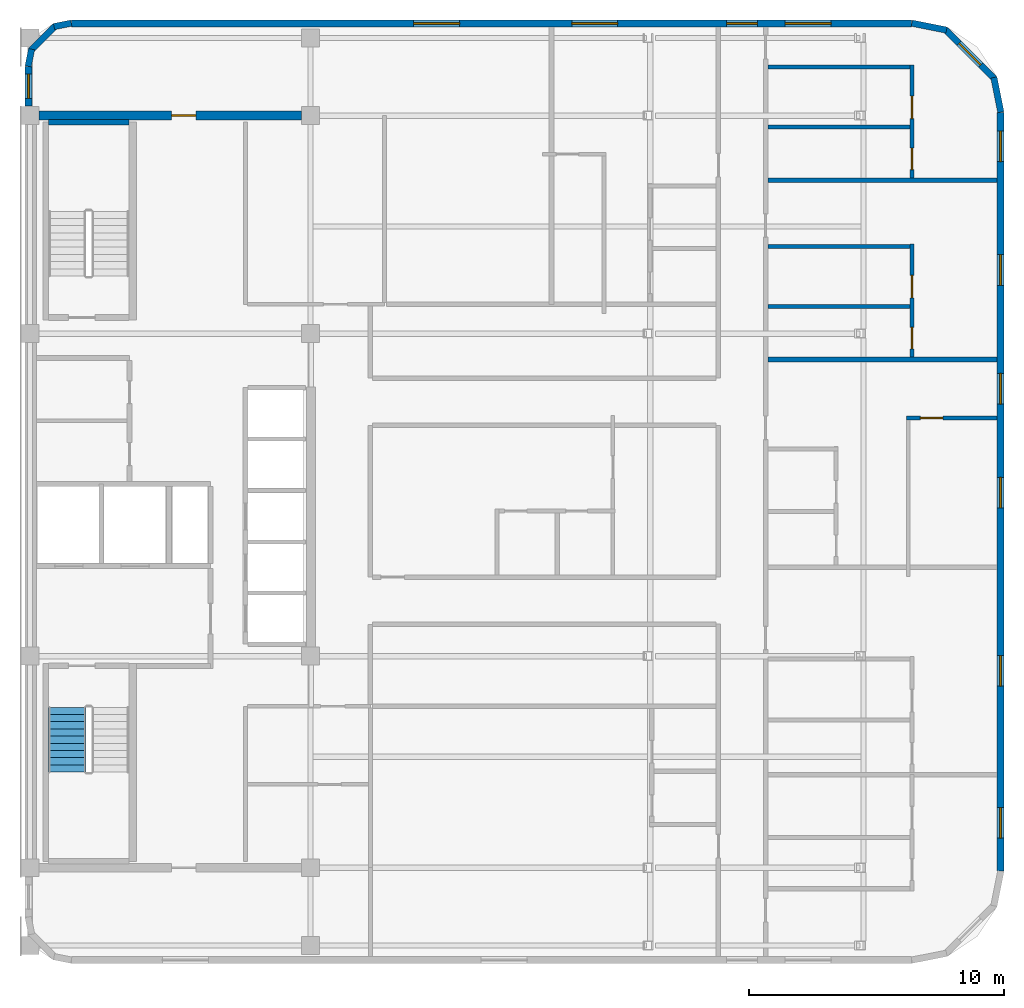
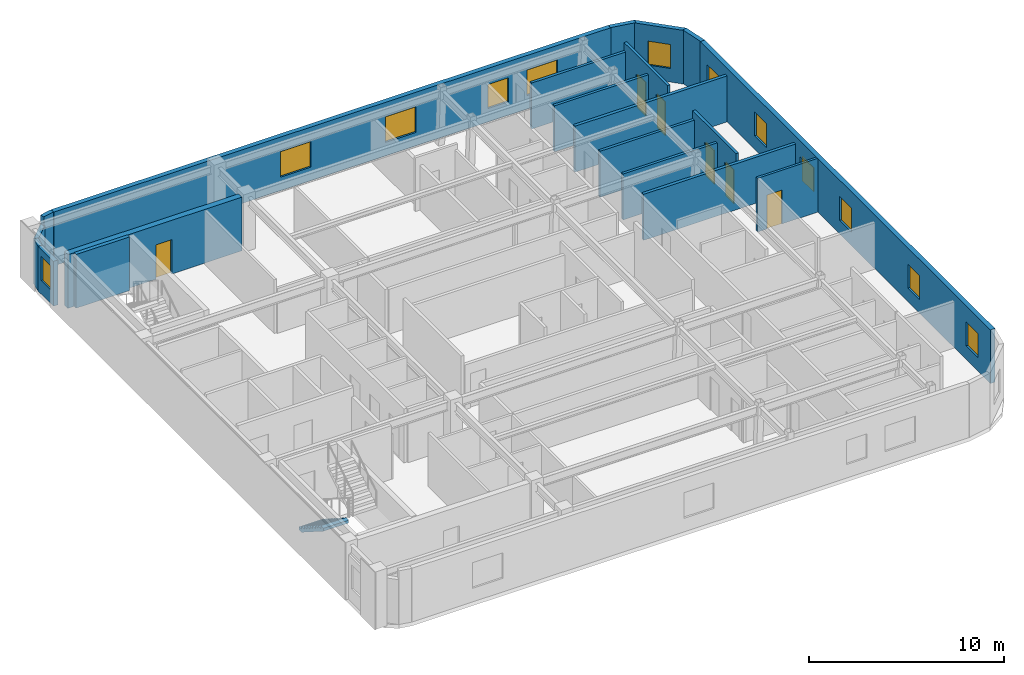
# One storey, part 5 of 7: 20 walls, 12 windows, 6 doors, 1 stair flight, 18 openings, 1 element without a shape of its own.
"""IFC4 building model written with IfcOpenShell, lengths in metres."""

from ifc_helpers import new_model, si_unit, direction, frame, frame_2d, origin, place, context, subcontext, project, spatial, polyline, rectangle, outline, extrude, material, layer, layer_set, type_object, element, fill, aggregate, save


model = new_model("IFC4")

# Units and contexts
model_context = context("Model", 3, precision=1e-05, world=origin(), true_north=direction((0.0, 1.0)))
body_context = subcontext(model_context, "Body", "Model", "MODEL_VIEW")
ifc_project = project(units=[si_unit("LENGTHUNIT", "METRE"), si_unit("AREAUNIT", "SQUARE_METRE"), si_unit("VOLUMEUNIT", "CUBIC_METRE"), si_unit("PLANEANGLEUNIT", "RADIAN"), si_unit("MASSUNIT", "GRAM", prefix="KILO")], contexts=[model_context])

# Site, building, storey
site_placement = place(None, origin())
site = spatial("IfcSite", under=ifc_project, at=site_placement, CompositionType="ELEMENT")
building_placement = place(site_placement, origin())
building = spatial("IfcBuilding", under=site, at=building_placement, Name="Ochreholt Gables", CompositionType="ELEMENT")
storey_placement = place(building_placement, frame((0.0, 0.0, 242.39990234375)))
storey = spatial("IfcBuildingStorey", under=building, at=storey_placement, Name="L63", CompositionType="ELEMENT", Elevation=242.39990234375)

# Wall, opening, door
ifc_material_1 = material(Name="Concrete 50 MPa", Category="concrete")
ifc_layer_1 = layer(ifc_material_1, 0.35009765625, Name="Concrete 50 MPa")
ifc_layer_set_1 = layer_set([ifc_layer_1], Name="Concrete 50 MPa")
wall_type_1 = type_object("IfcWallType", Name="WALL-CSW-350", PredefinedType="SHEAR", material=ifc_layer_set_1)
wall_1_placement = place(storey_placement, frame((24.550048828125, 38.75, 0.0), z_axis=(0.0, 0.0, 1.0), x_axis=(1.0, 0.0, 0.0)))
wall_1 = element("IfcWall", 1, at=wall_1_placement, inside=storey, type_object=wall_type_1, Name="L63 Core North Shear Wall", PredefinedType="SHEAR", context=body_context, shape_type="SweptSolid", body=[
    extrude(rectangle(XDim=10.300048828125, YDim=0.35009765625, at=frame_2d((5.14990234375, 0.0))), origin(), (0.0, 0.0, 1.0), 3.360107421875),
])
opening_1_placement = place(wall_1_placement, frame((5.199951171875, 0.0, 0.0)))
opening_1 = element("IfcOpeningElement", 2, at=opening_1_placement, cuts=wall_1, Name="Opening D-FL2", PredefinedType="OPENING", context=body_context, shape_type="SweptSolid", body=[
    extrude(rectangle(XDim=0.949951171875, YDim=2.14990234375, at=frame_2d((0.47509765625, 1.074951171875))), frame((0.0, 0.18505859375, 0.0), z_axis=(0.0, -1.0, 0.0), x_axis=(1.0, 0.0, 0.0)), (0.0, 0.0, 1.0), 0.3701171875),
])
ifc_material_2 = material(Name="Hollow Metal Steel", Category="steel")
door_type_1 = type_object("IfcDoorType", Name="DR-INT-FLB950", OperationType="NOTDEFINED", PredefinedType="DOOR", material=ifc_material_2)
door_1_placement = place(opening_1_placement, origin())
door_1 = element("IfcDoor", 3, at=door_1_placement, inside=storey, type_object=door_type_1, Name="L63 Door D-C3NSR-L63", OperationType="SINGLE_SWING_RIGHT", OverallHeight=2.14990234375, OverallWidth=0.949951171875, PredefinedType="DOOR", context=body_context, shape_type="SweptSolid", body=[
    extrude(rectangle(XDim=0.949951171875, YDim=2.14990234375, at=frame_2d((0.47509765625, 1.074951171875))), frame((0.0, 0.02490234375, 0.0), z_axis=(0.0, -1.0, 0.0), x_axis=(1.0, 0.0, 0.0)), (0.0, 0.0, 1.0), 0.050048828125),
])
fill(opening_1, door_1)

# Wall, openings, windows
ifc_material_3 = material(Name="Precast concrete 40 MPa", Category="concrete")
ifc_layer_2 = layer(ifc_material_3, 0.27001953125, Name="Precast concrete 40 MPa")
ifc_layer_set_2 = layer_set([ifc_layer_2], Name="Precast concrete 40 MPa")
wall_type_2 = type_object("IfcWallType", Name="WALL-EXT-270", PredefinedType="SOLIDWALL", material=ifc_layer_set_2)
wall_2_placement = place(storey_placement, frame((62.264892578125, 9.1201171875, 0.0), z_axis=(0.0, 0.0, 1.0), x_axis=(0.0, 1.0, 0.0)))
wall_2 = element("IfcWall", 4, at=wall_2_placement, inside=storey, type_object=wall_type_2, Name="L63 East Exterior Wall", PredefinedType="SOLIDWALL", context=body_context, shape_type="SweptSolid", body=[
    extrude(rectangle(XDim=29.759765625, YDim=0.27001953125, at=frame_2d((14.8798828125, 0.0))), origin(), (0.0, 0.0, 1.0), 3.360107421875),
])
opening_2_placement = place(wall_2_placement, frame((1.2900390625, 0.0, 0.85009765625)))
opening_2 = element("IfcOpeningElement", 5, at=opening_2_placement, cuts=wall_2, Name="Opening WN-3", PredefinedType="OPENING", context=body_context, shape_type="SweptSolid", body=[
    extrude(rectangle(XDim=1.199951171875, YDim=1.5, at=frame_2d((0.60009765625, 0.75))), frame((0.0, 0.14501953125, 0.0), z_axis=(0.0, -1.0, 0.0), x_axis=(1.0, 0.0, 0.0)), (0.0, 0.0, 1.0), 0.2900390625),
])
opening_3_placement = place(wall_2_placement, frame((7.25, 0.0, 0.85009765625)))
opening_3 = element("IfcOpeningElement", 6, at=opening_3_placement, cuts=wall_2, Name="Opening WN-3", PredefinedType="OPENING", context=body_context, shape_type="SweptSolid", body=[
    extrude(rectangle(XDim=1.199951171875, YDim=1.5, at=frame_2d((0.60009765625, 0.75))), frame((0.0, 0.14501953125, 0.0), z_axis=(0.0, -1.0, 0.0), x_axis=(1.0, 0.0, 0.0)), (0.0, 0.0, 1.0), 0.2900390625),
])
opening_4_placement = place(wall_2_placement, frame((14.2451171875, 0.0, 0.85009765625)))
opening_4 = element("IfcOpeningElement", 7, at=opening_4_placement, cuts=wall_2, Name="Opening WN-3", PredefinedType="OPENING", context=body_context, shape_type="SweptSolid", body=[
    extrude(rectangle(XDim=1.199951171875, YDim=1.5, at=frame_2d((0.60009765625, 0.75))), frame((0.0, 0.14501953125, 0.0), z_axis=(0.0, -1.0, 0.0), x_axis=(1.0, 0.0, 0.0)), (0.0, 0.0, 1.0), 0.2900390625),
])
opening_5_placement = place(wall_2_placement, frame((18.31494140625, 0.0, 0.85009765625)))
opening_5 = element("IfcOpeningElement", 8, at=opening_5_placement, cuts=wall_2, Name="Opening WN-3", PredefinedType="OPENING", context=body_context, shape_type="SweptSolid", body=[
    extrude(rectangle(XDim=1.199951171875, YDim=1.5, at=frame_2d((0.60009765625, 0.75))), frame((0.0, 0.14501953125, 0.0), z_axis=(0.0, -1.0, 0.0), x_axis=(1.0, 0.0, 0.0)), (0.0, 0.0, 1.0), 0.2900390625),
])
opening_6_placement = place(wall_2_placement, frame((22.97509765625, 0.0, 0.85009765625)))
opening_6 = element("IfcOpeningElement", 9, at=opening_6_placement, cuts=wall_2, Name="Opening WN-3", PredefinedType="OPENING", context=body_context, shape_type="SweptSolid", body=[
    extrude(rectangle(XDim=1.199951171875, YDim=1.5, at=frame_2d((0.60009765625, 0.75))), frame((0.0, 0.14501953125, 0.0), z_axis=(0.0, -1.0, 0.0), x_axis=(1.0, 0.0, 0.0)), (0.0, 0.0, 1.0), 0.2900390625),
])
opening_7_placement = place(wall_2_placement, frame((27.824951171875, 0.0, 0.85009765625)))
opening_7 = element("IfcOpeningElement", 10, at=opening_7_placement, cuts=wall_2, Name="Opening WN-3", PredefinedType="OPENING", context=body_context, shape_type="SweptSolid", body=[
    extrude(rectangle(XDim=1.199951171875, YDim=1.5, at=frame_2d((0.60009765625, 0.75))), frame((0.0, 0.14501953125, 0.0), z_axis=(0.0, -1.0, 0.0), x_axis=(1.0, 0.0, 0.0)), (0.0, 0.0, 1.0), 0.2900390625),
])
ifc_material_4 = material(Name="Triple-Glazed Thermally Broken Aluminium Window", Category="aluminium")
window_type_1 = type_object("IfcWindowType", Name="WIN-RES-1200", PartitioningType="SINGLE_PANEL", PredefinedType="WINDOW", material=ifc_material_4)
window_1_placement = place(opening_2_placement, origin())
window_1 = element("IfcWindow", 11, at=window_1_placement, inside=storey, type_object=window_type_1, Name="L63 Window W-EXT-E-L63-1", OverallHeight=1.5, OverallWidth=1.199951171875, PartitioningType="SINGLE_PANEL", PredefinedType="WINDOW", context=body_context, shape_type="SweptSolid", body=[
    extrude(rectangle(XDim=1.199951171875, YDim=1.5, at=frame_2d((0.60009765625, 0.75))), frame((0.0, 0.030029296875, 0.0), z_axis=(0.0, -1.0, 0.0), x_axis=(1.0, 0.0, 0.0)), (0.0, 0.0, 1.0), 0.06005859375),
])
fill(opening_2, window_1)
window_2_placement = place(opening_3_placement, origin())
window_2 = element("IfcWindow", 12, at=window_2_placement, inside=storey, type_object=window_type_1, Name="L63 Window W-EXT-E-L63-2", OverallHeight=1.5, OverallWidth=1.199951171875, PartitioningType="SINGLE_PANEL", PredefinedType="WINDOW", context=body_context, shape_type="SweptSolid", body=[
    extrude(rectangle(XDim=1.199951171875, YDim=1.5, at=frame_2d((0.60009765625, 0.75))), frame((0.0, 0.030029296875, 0.0), z_axis=(0.0, -1.0, 0.0), x_axis=(1.0, 0.0, 0.0)), (0.0, 0.0, 1.0), 0.06005859375),
])
fill(opening_3, window_2)
window_3_placement = place(opening_4_placement, origin())
window_3 = element("IfcWindow", 13, at=window_3_placement, inside=storey, type_object=window_type_1, Name="L63 Window W-EXT-E-L63-3", OverallHeight=1.5, OverallWidth=1.199951171875, PartitioningType="SINGLE_PANEL", PredefinedType="WINDOW", context=body_context, shape_type="SweptSolid", body=[
    extrude(rectangle(XDim=1.199951171875, YDim=1.5, at=frame_2d((0.60009765625, 0.75))), frame((0.0, 0.030029296875, 0.0), z_axis=(0.0, -1.0, 0.0), x_axis=(1.0, 0.0, 0.0)), (0.0, 0.0, 1.0), 0.06005859375),
])
fill(opening_4, window_3)
window_4_placement = place(opening_5_placement, origin())
window_4 = element("IfcWindow", 14, at=window_4_placement, inside=storey, type_object=window_type_1, Name="L63 Window W-EXT-E-L63-4", OverallHeight=1.5, OverallWidth=1.199951171875, PartitioningType="SINGLE_PANEL", PredefinedType="WINDOW", context=body_context, shape_type="SweptSolid", body=[
    extrude(rectangle(XDim=1.199951171875, YDim=1.5, at=frame_2d((0.60009765625, 0.75))), frame((0.0, 0.030029296875, 0.0), z_axis=(0.0, -1.0, 0.0), x_axis=(1.0, 0.0, 0.0)), (0.0, 0.0, 1.0), 0.06005859375),
])
fill(opening_5, window_4)
window_5_placement = place(opening_6_placement, origin())
window_5 = element("IfcWindow", 15, at=window_5_placement, inside=storey, type_object=window_type_1, Name="L63 Window W-EXT-E-L63-5", OverallHeight=1.5, OverallWidth=1.199951171875, PartitioningType="SINGLE_PANEL", PredefinedType="WINDOW", context=body_context, shape_type="SweptSolid", body=[
    extrude(rectangle(XDim=1.199951171875, YDim=1.5, at=frame_2d((0.60009765625, 0.75))), frame((0.0, 0.030029296875, 0.0), z_axis=(0.0, -1.0, 0.0), x_axis=(1.0, 0.0, 0.0)), (0.0, 0.0, 1.0), 0.06005859375),
])
fill(opening_6, window_5)
window_6_placement = place(opening_7_placement, origin())
window_6 = element("IfcWindow", 16, at=window_6_placement, inside=storey, type_object=window_type_1, Name="L63 Window W-EXT-E-L63-6", OverallHeight=1.5, OverallWidth=1.199951171875, PartitioningType="SINGLE_PANEL", PredefinedType="WINDOW", context=body_context, shape_type="SweptSolid", body=[
    extrude(rectangle(XDim=1.199951171875, YDim=1.5, at=frame_2d((0.60009765625, 0.75))), frame((0.0, 0.030029296875, 0.0), z_axis=(0.0, -1.0, 0.0), x_axis=(1.0, 0.0, 0.0)), (0.0, 0.0, 1.0), 0.06005859375),
])
fill(opening_7, window_6)

wall_3_placement = place(storey_placement, frame((58.780029296875, 42.364990234375, 0.0), z_axis=(0.0, 0.0, 1.0), x_axis=(-1.0, 0.0, 0.0)))
wall_3 = element("IfcWall", 17, at=wall_3_placement, inside=storey, type_object=wall_type_2, Name="L63 North Exterior Wall", PredefinedType="SOLIDWALL", context=body_context, shape_type="SweptSolid", body=[
    extrude(rectangle(XDim=32.9599609375, YDim=0.27001953125, at=frame_2d((16.47998046875, 0.0))), origin(), (0.0, 0.0, 1.0), 3.360107421875),
])
opening_8_placement = place(wall_3_placement, frame((17.735107421875, 0.0, 0.85009765625)))
opening_8 = element("IfcOpeningElement", 18, at=opening_8_placement, cuts=wall_3, Name="Opening WN-1", PredefinedType="OPENING", context=body_context, shape_type="SweptSolid", body=[
    extrude(rectangle(XDim=1.800048828125, YDim=1.60009765625, at=frame_2d((0.89990234375, 0.800048828125))), frame((0.0, 0.14501953125, 0.0), z_axis=(0.0, -1.0, 0.0), x_axis=(1.0, 0.0, 0.0)), (0.0, 0.0, 1.0), 0.2900390625),
])
opening_9_placement = place(wall_3_placement, frame((11.533447265625, 0.0, 0.85009765625)))
opening_9 = element("IfcOpeningElement", 19, at=opening_9_placement, cuts=wall_3, Name="Opening WN-1", PredefinedType="OPENING", context=body_context, shape_type="SweptSolid", body=[
    extrude(rectangle(XDim=1.800048828125, YDim=1.60009765625, at=frame_2d((0.89990234375, 0.800048828125))), frame((0.0, 0.14501953125, 0.0), z_axis=(0.0, -1.0, 0.0), x_axis=(1.0, 0.0, 0.0)), (0.0, 0.0, 1.0), 0.2900390625),
])
opening_10_placement = place(wall_3_placement, frame((6.054931640625, 0.0, 0.85009765625)))
opening_10 = element("IfcOpeningElement", 20, at=opening_10_placement, cuts=wall_3, Name="Opening WN-3", PredefinedType="OPENING", context=body_context, shape_type="SweptSolid", body=[
    extrude(rectangle(XDim=1.199951171875, YDim=1.5, at=frame_2d((0.60009765625, 0.75))), frame((0.0, 0.14501953125, 0.0), z_axis=(0.0, -1.0, 0.0), x_axis=(1.0, 0.0, 0.0)), (0.0, 0.0, 1.0), 0.2900390625),
])
opening_11_placement = place(wall_3_placement, frame((3.164794921875, 0.0, 0.85009765625)))
opening_11 = element("IfcOpeningElement", 21, at=opening_11_placement, cuts=wall_3, Name="Opening WN-1", PredefinedType="OPENING", context=body_context, shape_type="SweptSolid", body=[
    extrude(rectangle(XDim=1.800048828125, YDim=1.60009765625, at=frame_2d((0.89990234375, 0.800048828125))), frame((0.0, 0.14501953125, 0.0), z_axis=(0.0, -1.0, 0.0), x_axis=(1.0, 0.0, 0.0)), (0.0, 0.0, 1.0), 0.2900390625),
])
window_7_placement = place(opening_10_placement, origin())
window_7 = element("IfcWindow", 22, at=window_7_placement, inside=storey, type_object=window_type_1, Name="L63 Window W-EXT-N-L63-3", OverallHeight=1.5, OverallWidth=1.199951171875, PartitioningType="SINGLE_PANEL", PredefinedType="WINDOW", context=body_context, shape_type="SweptSolid", body=[
    extrude(rectangle(XDim=1.199951171875, YDim=1.5, at=frame_2d((0.60009765625, 0.75))), frame((0.0, 0.030029296875, 0.0), z_axis=(0.0, -1.0, 0.0), x_axis=(1.0, 0.0, 0.0)), (0.0, 0.0, 1.0), 0.06005859375),
])
fill(opening_10, window_7)
window_type_2 = type_object("IfcWindowType", Name="WIN-RES-1800", PartitioningType="SINGLE_PANEL", PredefinedType="WINDOW", material=ifc_material_4)
window_8_placement = place(opening_8_placement, origin())
window_8 = element("IfcWindow", 23, at=window_8_placement, inside=storey, type_object=window_type_2, Name="L63 Window W-EXT-N-L63-1", OverallHeight=1.60009765625, OverallWidth=1.800048828125, PartitioningType="SINGLE_PANEL", PredefinedType="WINDOW", context=body_context, shape_type="SweptSolid", body=[
    extrude(rectangle(XDim=1.800048828125, YDim=1.60009765625, at=frame_2d((0.89990234375, 0.800048828125))), frame((0.0, 0.030029296875, 0.0), z_axis=(0.0, -1.0, 0.0), x_axis=(1.0, 0.0, 0.0)), (0.0, 0.0, 1.0), 0.06005859375),
])
fill(opening_8, window_8)
window_9_placement = place(opening_9_placement, origin())
window_9 = element("IfcWindow", 24, at=window_9_placement, inside=storey, type_object=window_type_2, Name="L63 Window W-EXT-N-L63-2", OverallHeight=1.60009765625, OverallWidth=1.800048828125, PartitioningType="SINGLE_PANEL", PredefinedType="WINDOW", context=body_context, shape_type="SweptSolid", body=[
    extrude(rectangle(XDim=1.800048828125, YDim=1.60009765625, at=frame_2d((0.89990234375, 0.800048828125))), frame((0.0, 0.030029296875, 0.0), z_axis=(0.0, -1.0, 0.0), x_axis=(1.0, 0.0, 0.0)), (0.0, 0.0, 1.0), 0.06005859375),
])
fill(opening_9, window_9)
window_10_placement = place(opening_11_placement, origin())
window_10 = element("IfcWindow", 25, at=window_10_placement, inside=storey, type_object=window_type_2, Name="L63 Window W-EXT-N-L63-4", OverallHeight=1.60009765625, OverallWidth=1.800048828125, PartitioningType="SINGLE_PANEL", PredefinedType="WINDOW", context=body_context, shape_type="SweptSolid", body=[
    extrude(rectangle(XDim=1.800048828125, YDim=1.60009765625, at=frame_2d((0.89990234375, 0.800048828125))), frame((0.0, 0.030029296875, 0.0), z_axis=(0.0, -1.0, 0.0), x_axis=(1.0, 0.0, 0.0)), (0.0, 0.0, 1.0), 0.06005859375),
])
fill(opening_11, window_10)

# Wall, opening, window
wall_4_placement = place(storey_placement, frame((24.135009765625, 39.1201171875, 0.0), z_axis=(0.0, 0.0, 1.0), x_axis=(0.0, 1.0, 0.0)))
wall_4 = element("IfcWall", 26, at=wall_4_placement, inside=storey, type_object=wall_type_2, Name="L63 West Facade North Bay Wall", PredefinedType="SOLIDWALL", context=body_context, shape_type="SweptSolid", body=[
    extrude(rectangle(XDim=1.559814453125, YDim=0.27001953125, at=frame_2d((0.77978515625, 0.0))), origin(), (0.0, 0.0, 1.0), 2.802978515625),
])
opening_12_placement = place(wall_4_placement, frame((0.304931640625, 0.0, 0.85009765625)))
opening_12 = element("IfcOpeningElement", 27, at=opening_12_placement, cuts=wall_4, Name="Opening WN-10", PredefinedType="OPENING", context=body_context, shape_type="SweptSolid", body=[
    extrude(rectangle(XDim=0.949951171875, YDim=1.5, at=frame_2d((0.47509765625, 0.75))), frame((0.0, 0.14501953125, 0.0), z_axis=(0.0, -1.0, 0.0), x_axis=(1.0, 0.0, 0.0)), (0.0, 0.0, 1.0), 0.2900390625),
])
window_type_3 = type_object("IfcWindowType", Name="WIN-RES-950", PartitioningType="SINGLE_PANEL", PredefinedType="WINDOW", material=ifc_material_4)
window_11_placement = place(opening_12_placement, origin())
window_11 = element("IfcWindow", 28, at=window_11_placement, inside=storey, type_object=window_type_3, Name="L63 North Sky Reading West Window", OverallHeight=1.5, OverallWidth=0.949951171875, PartitioningType="SINGLE_PANEL", PredefinedType="WINDOW", context=body_context, shape_type="SweptSolid", body=[
    extrude(rectangle(XDim=0.949951171875, YDim=1.5, at=frame_2d((0.47509765625, 0.75))), frame((0.0, 0.030029296875, 0.0), z_axis=(0.0, -1.0, 0.0), x_axis=(1.0, 0.0, 0.0)), (0.0, 0.0, 1.0), 0.06005859375),
])
fill(opening_12, window_11)

# Wall
ifc_layer_3 = layer(ifc_material_3, 0.25, Name="Precast concrete 40 MPa")
ifc_layer_set_3 = layer_set([ifc_layer_3], Name="Precast concrete 40 MPa")
wall_type_3 = type_object("IfcWallType", Name="WALL-EXT-CNR", PredefinedType="SOLIDWALL", material=ifc_layer_set_3)
wall_5_placement = place(storey_placement, frame((62.27587890625, 38.883544921875, 0.0), z_axis=(0.0, 0.0, 1.0), x_axis=(-0.195135625965, 0.9807762678, 0.0)))
element("IfcWall", 29, at=wall_5_placement, inside=storey, type_object=wall_type_3, Name="L63 Rounded Corner Wall NE-1", PredefinedType="SOLIDWALL", context=body_context, shape_type="SweptSolid", body=[
    extrude(rectangle(XDim=1.388671875, YDim=0.25, at=frame_2d((0.6943359375, 0.0))), origin(), (0.0, 0.0, 1.0), 3.360107421875),
])

# Wall, opening, window
wall_6_placement = place(storey_placement, frame((62.031982421875, 40.195068359375, 0.0), z_axis=(0.0, 0.0, 1.0), x_axis=(-0.707106781187, 0.707106781187, 0.0)))
wall_6 = element("IfcWall", 30, at=wall_6_placement, inside=storey, type_object=wall_type_3, Name="L63 Rounded Corner Wall NE-2", PredefinedType="SOLIDWALL", context=body_context, shape_type="SweptSolid", body=[
    extrude(rectangle(XDim=2.7392578125, YDim=0.25, at=frame_2d((1.36962890625, 0.0))), origin(), (0.0, 0.0, 1.0), 3.360107421875),
])
opening_13_placement = place(wall_6_placement, frame((0.769775390625, 0.0, 0.85009765625)))
opening_13 = element("IfcOpeningElement", 31, at=opening_13_placement, cuts=wall_6, Name="Opening WN-3", PredefinedType="OPENING", context=body_context, shape_type="SweptSolid", body=[
    extrude(rectangle(XDim=1.199951171875, YDim=1.5, at=frame_2d((0.60009765625, 0.75))), frame((0.0, 0.135009765625, 0.0), z_axis=(0.0, -1.0, 0.0), x_axis=(1.0, 0.0, 0.0)), (0.0, 0.0, 1.0), 0.27001953125),
])
window_12_placement = place(opening_13_placement, origin())
window_12 = element("IfcWindow", 32, at=window_12_placement, inside=storey, type_object=window_type_1, Name="L63 Corner Bedroom Window NE", OverallHeight=1.5, OverallWidth=1.199951171875, PartitioningType="SINGLE_PANEL", PredefinedType="WINDOW", context=body_context, shape_type="SweptSolid", body=[
    extrude(rectangle(XDim=1.199951171875, YDim=1.5, at=frame_2d((0.60009765625, 0.75))), frame((0.0, 0.030029296875, 0.0), z_axis=(0.0, -1.0, 0.0), x_axis=(1.0, 0.0, 0.0)), (0.0, 0.0, 1.0), 0.06005859375),
])
fill(opening_13, window_12)

# Walls
wall_7_placement = place(storey_placement, frame((60.1455078125, 42.10498046875, 0.0), z_axis=(0.0, 0.0, 1.0), x_axis=(-0.980809899341, 0.19496651342, 0.0)))
element("IfcWall", 33, at=wall_7_placement, inside=storey, type_object=wall_type_3, Name="L63 Rounded Corner Wall NE-3", PredefinedType="SOLIDWALL", context=body_context, shape_type="SweptSolid", body=[
    extrude(rectangle(XDim=1.388671875, YDim=0.25, at=frame_2d((0.6943359375, 0.0))), origin(), (0.0, 0.0, 1.0), 3.360107421875),
])
wall_8_placement = place(storey_placement, frame((25.81640625, 42.375732421875, 0.0), z_axis=(0.0, 0.0, 1.0), x_axis=(-0.980812594069, -0.194952956674, 0.0)))
element("IfcWall", 34, at=wall_8_placement, inside=storey, type_object=wall_type_3, Name="L63 Rounded Corner Wall NW-1", PredefinedType="SOLIDWALL", context=body_context, shape_type="SweptSolid", body=[
    extrude(rectangle(XDim=0.686279296875, YDim=0.25, at=frame_2d((0.34326171875, 0.0))), origin(), (0.0, 0.0, 1.0), 3.360107421875),
])
wall_9_placement = place(storey_placement, frame((25.19384765625, 42.26904296875, 0.0), z_axis=(0.0, 0.0, 1.0), x_axis=(-0.707106781187, -0.707106781187, 0.0)))
element("IfcWall", 35, at=wall_9_placement, inside=storey, type_object=wall_type_3, Name="L63 Rounded Corner Wall NW-2", PredefinedType="SOLIDWALL", context=body_context, shape_type="SweptSolid", body=[
    extrude(rectangle(XDim=1.36181640625, YDim=0.25, at=frame_2d((0.680908203125, 0.0))), origin(), (0.0, 0.0, 1.0), 2.802978515625),
])
wall_10_placement = place(storey_placement, frame((24.258056640625, 41.356689453125, 0.0), z_axis=(0.0, 0.0, 1.0), x_axis=(-0.194952956674, -0.980812594069, 0.0)))
element("IfcWall", 36, at=wall_10_placement, inside=storey, type_object=wall_type_3, Name="L63 Rounded Corner Wall NW-3", PredefinedType="SOLIDWALL", context=body_context, shape_type="SweptSolid", body=[
    extrude(rectangle(XDim=0.686279296875, YDim=0.25, at=frame_2d((0.34326171875, 0.0))), origin(), (0.0, 0.0, 1.0), 2.802978515625),
])
ifc_material_5 = material(Name="Double-Stud Acoustic Demising Wall", Category="gypsum")
ifc_layer_4 = layer(ifc_material_5, 0.18505859375, Name="Double-Stud Acoustic Demising Wall")
ifc_layer_set_4 = layer_set([ifc_layer_4], Name="Double-Stud Acoustic Demising Wall")
wall_type_4 = type_object("IfcWallType", Name="WALL-INT-DM185", PredefinedType="PARTITIONING", material=ifc_layer_set_4)
for number, where, z_axis, x_axis, name in (
    (37, (53.139892578125, 29.179931640625, 0.0), (0.0, 0.0, 1.0), (1.0, 0.0, 0.0), "L63 Interior Wall WI-C3UDE4-L63"),
    (38, (53.139892578125, 36.2099609375, 0.0), (0.0, 0.0, 1.0), (1.0, 0.0, 0.0), "L63 Interior Wall WI-C3UDE5-L63"),
):
    element("IfcWall", number, at=place(storey_placement, frame(where, z_axis=z_axis, x_axis=x_axis)), inside=storey, type_object=wall_type_4, Name=name, PredefinedType="PARTITIONING", context=body_context, shape_type="SweptSolid", body=[
        extrude(rectangle(XDim=8.989990234375, YDim=0.18505859375, at=frame_2d((4.4951171875, 0.0))), origin(), (0.0, 0.0, 1.0), 2.879150390625),
    ])
ifc_material_6 = material(Name="Moisture-Resistant Plumbing Chase Wall", Category="gypsum")
ifc_layer_5 = layer(ifc_material_6, 0.159912109375, Name="Moisture-Resistant Plumbing Chase Wall")
ifc_layer_set_5 = layer_set([ifc_layer_5], Name="Moisture-Resistant Plumbing Chase Wall")
wall_type_5 = type_object("IfcWallType", Name="WALL-INT-PL160", PredefinedType="PLUMBINGWALL", material=ifc_layer_set_5)
wall_11_placement = place(storey_placement, frame((53.139892578125, 33.6201171875, 0.0), z_axis=(0.0, 0.0, 1.0), x_axis=(1.0, 0.0, 0.0)))
element("IfcWall", 39, at=wall_11_placement, inside=storey, type_object=wall_type_5, Name="L63 Interior Wall WU-L63E4-WYN", PredefinedType="PLUMBINGWALL", context=body_context, shape_type="SweptSolid", body=[
    extrude(rectangle(XDim=5.728271484375, YDim=0.159912109375, at=frame_2d((2.8642578125, 0.0))), origin(), (0.0, 0.0, 1.0), 2.879150390625),
])

# Wall, openings, doors
wall_12_placement = place(storey_placement, frame((58.7880859375, 29.2724609375, 0.0), z_axis=(0.0, 0.0, 1.0), x_axis=(0.0, 1.0, 0.0)))
wall_12 = element("IfcWall", 40, at=wall_12_placement, inside=storey, type_object=wall_type_5, Name="L63 Interior Wall WU-L63E4-WX", PredefinedType="PLUMBINGWALL", context=body_context, shape_type="SweptSolid", body=[
    extrude(rectangle(XDim=4.4375, YDim=0.159912109375, at=frame_2d((2.21875, 0.0))), origin(), (0.0, 0.0, 1.0), 3.360107421875),
])
opening_14_placement = place(wall_12_placement, frame((0.327392578125, 0.0, 0.0)))
opening_14 = element("IfcOpeningElement", 41, at=opening_14_placement, cuts=wall_12, Name="Opening D-BT2", PredefinedType="OPENING", context=body_context, shape_type="SweptSolid", body=[
    extrude(rectangle(XDim=0.840087890625, YDim=2.1201171875, at=frame_2d((0.419921875, 1.06005859375))), frame((0.0, 0.08984375, 0.0), z_axis=(0.0, -1.0, 0.0), x_axis=(1.0, 0.0, 0.0)), (0.0, 0.0, 1.0), 0.179931640625),
])
opening_15_placement = place(wall_12_placement, frame((2.32861328125, 0.0, 0.0)))
opening_15 = element("IfcOpeningElement", 42, at=opening_15_placement, cuts=wall_12, Name="Opening D-GN2", PredefinedType="OPENING", context=body_context, shape_type="SweptSolid", body=[
    extrude(rectangle(XDim=0.8798828125, YDim=2.1201171875, at=frame_2d((0.43994140625, 1.06005859375))), frame((0.0, 0.08984375, 0.0), z_axis=(0.0, -1.0, 0.0), x_axis=(1.0, 0.0, 0.0)), (0.0, 0.0, 1.0), 0.179931640625),
])
ifc_material_7 = material(Name="Engineered Oak Timber", Category="wood")
door_type_2 = type_object("IfcDoorType", Name="DR-INT-BTH840", OperationType="NOTDEFINED", PredefinedType="DOOR", material=ifc_material_7)
door_2_placement = place(opening_14_placement, origin())
door_2 = element("IfcDoor", 43, at=door_2_placement, inside=storey, type_object=door_type_2, Name="L63 Door D-U-L63E4-BTH", OperationType="SINGLE_SWING_RIGHT", OverallHeight=2.1201171875, OverallWidth=0.840087890625, PredefinedType="DOOR", context=body_context, shape_type="SweptSolid", body=[
    extrude(rectangle(XDim=0.840087890625, YDim=2.1201171875, at=frame_2d((0.419921875, 1.06005859375))), frame((0.0, 0.02490234375, 0.0), z_axis=(0.0, -1.0, 0.0), x_axis=(1.0, 0.0, 0.0)), (0.0, 0.0, 1.0), 0.050048828125),
])
fill(opening_14, door_2)
door_type_3 = type_object("IfcDoorType", Name="DR-INT-GEN880", OperationType="NOTDEFINED", PredefinedType="DOOR", material=ifc_material_7)
door_3_placement = place(opening_15_placement, origin())
door_3 = element("IfcDoor", 44, at=door_3_placement, inside=storey, type_object=door_type_3, Name="L63 Door D-U-L63E4-KIT", OperationType="SINGLE_SWING_LEFT", OverallHeight=2.1201171875, OverallWidth=0.8798828125, PredefinedType="DOOR", context=body_context, shape_type="SweptSolid", body=[
    extrude(rectangle(XDim=0.8798828125, YDim=2.1201171875, at=frame_2d((0.43994140625, 1.06005859375))), frame((0.0, 0.02490234375, 0.0), z_axis=(0.0, -1.0, 0.0), x_axis=(1.0, 0.0, 0.0)), (0.0, 0.0, 1.0), 0.050048828125),
])
fill(opening_15, door_3)

# Walls
wall_13_placement = place(storey_placement, frame((53.139892578125, 31.27099609375, 0.0), z_axis=(0.0, 0.0, 1.0), x_axis=(1.0, 0.0, 0.0)))
element("IfcWall", 45, at=wall_13_placement, inside=storey, type_object=wall_type_5, Name="L63 Interior Wall WU-L63E4-WM", PredefinedType="PLUMBINGWALL", context=body_context, shape_type="SweptSolid", body=[
    extrude(rectangle(XDim=5.568359375, YDim=0.159912109375, at=frame_2d((2.7841796875, 0.0))), origin(), (0.0, 0.0, 1.0), 2.879150390625),
])
wall_14_placement = place(storey_placement, frame((53.139892578125, 40.64990234375, 0.0), z_axis=(0.0, 0.0, 1.0), x_axis=(1.0, 0.0, 0.0)))
element("IfcWall", 46, at=wall_14_placement, inside=storey, type_object=wall_type_5, Name="L63 Interior Wall WU-L63E5-WYN", PredefinedType="PLUMBINGWALL", context=body_context, shape_type="SweptSolid", body=[
    extrude(rectangle(XDim=5.728271484375, YDim=0.159912109375, at=frame_2d((2.8642578125, 0.0))), origin(), (0.0, 0.0, 1.0), 2.879150390625),
])

# Wall, openings, doors
wall_15_placement = place(storey_placement, frame((58.7880859375, 36.302490234375, 0.0), z_axis=(0.0, 0.0, 1.0), x_axis=(0.0, 1.0, 0.0)))
wall_15 = element("IfcWall", 47, at=wall_15_placement, inside=storey, type_object=wall_type_5, Name="L63 Interior Wall WU-L63E5-WX", PredefinedType="PLUMBINGWALL", context=body_context, shape_type="SweptSolid", body=[
    extrude(rectangle(XDim=4.4375, YDim=0.159912109375, at=frame_2d((2.21875, 0.0))), origin(), (0.0, 0.0, 1.0), 3.360107421875),
])
opening_16_placement = place(wall_15_placement, frame((0.327392578125, 0.0, 0.0)))
opening_16 = element("IfcOpeningElement", 48, at=opening_16_placement, cuts=wall_15, Name="Opening D-BT2", PredefinedType="OPENING", context=body_context, shape_type="SweptSolid", body=[
    extrude(rectangle(XDim=0.840087890625, YDim=2.1201171875, at=frame_2d((0.419921875, 1.06005859375))), frame((0.0, 0.08984375, 0.0), z_axis=(0.0, -1.0, 0.0), x_axis=(1.0, 0.0, 0.0)), (0.0, 0.0, 1.0), 0.179931640625),
])
opening_17_placement = place(wall_15_placement, frame((2.32861328125, 0.0, 0.0)))
opening_17 = element("IfcOpeningElement", 49, at=opening_17_placement, cuts=wall_15, Name="Opening D-GN2", PredefinedType="OPENING", context=body_context, shape_type="SweptSolid", body=[
    extrude(rectangle(XDim=0.8798828125, YDim=2.1201171875, at=frame_2d((0.43994140625, 1.06005859375))), frame((0.0, 0.08984375, 0.0), z_axis=(0.0, -1.0, 0.0), x_axis=(1.0, 0.0, 0.0)), (0.0, 0.0, 1.0), 0.179931640625),
])
door_4_placement = place(opening_16_placement, origin())
door_4 = element("IfcDoor", 50, at=door_4_placement, inside=storey, type_object=door_type_2, Name="L63 Door D-U-L63E5-BTH", OperationType="SINGLE_SWING_LEFT", OverallHeight=2.1201171875, OverallWidth=0.840087890625, PredefinedType="DOOR", context=body_context, shape_type="SweptSolid", body=[
    extrude(rectangle(XDim=0.840087890625, YDim=2.1201171875, at=frame_2d((0.419921875, 1.06005859375))), frame((0.0, 0.02490234375, 0.0), z_axis=(0.0, -1.0, 0.0), x_axis=(1.0, 0.0, 0.0)), (0.0, 0.0, 1.0), 0.050048828125),
])
fill(opening_16, door_4)
door_5_placement = place(opening_17_placement, origin())
door_5 = element("IfcDoor", 51, at=door_5_placement, inside=storey, type_object=door_type_3, Name="L63 Door D-U-L63E5-KIT", OperationType="SINGLE_SWING_RIGHT", OverallHeight=2.1201171875, OverallWidth=0.8798828125, PredefinedType="DOOR", context=body_context, shape_type="SweptSolid", body=[
    extrude(rectangle(XDim=0.8798828125, YDim=2.1201171875, at=frame_2d((0.43994140625, 1.06005859375))), frame((0.0, 0.02490234375, 0.0), z_axis=(0.0, -1.0, 0.0), x_axis=(1.0, 0.0, 0.0)), (0.0, 0.0, 1.0), 0.050048828125),
])
fill(opening_17, door_5)

# Wall
wall_16_placement = place(storey_placement, frame((53.139892578125, 38.301025390625, 0.0), z_axis=(0.0, 0.0, 1.0), x_axis=(1.0, 0.0, 0.0)))
element("IfcWall", 52, at=wall_16_placement, inside=storey, type_object=wall_type_5, Name="L63 Interior Wall WU-L63E5-WM", PredefinedType="PLUMBINGWALL", context=body_context, shape_type="SweptSolid", body=[
    extrude(rectangle(XDim=5.568359375, YDim=0.159912109375, at=frame_2d((2.7841796875, 0.0))), origin(), (0.0, 0.0, 1.0), 2.879150390625),
])

# Wall, opening, door
ifc_material_8 = material(Name="Lightweight Stud Partition", Category="gypsum")
ifc_layer_6 = layer(ifc_material_8, 0.14501953125, Name="Lightweight Stud Partition")
ifc_layer_set_6 = layer_set([ifc_layer_6], Name="Lightweight Stud Partition")
wall_type_6 = type_object("IfcWallType", Name="WALL-INT-PT145", PredefinedType="PARTITIONING", material=ifc_layer_set_6)
wall_17_placement = place(storey_placement, frame((58.570068359375, 26.889892578125, 0.0), z_axis=(0.0, 0.0, 1.0), x_axis=(1.0, 0.0, 0.0)))
wall_17 = element("IfcWall", 53, at=wall_17_placement, inside=storey, type_object=wall_type_6, Name="L63 Interior Wall WU-L63E3-STN", PredefinedType="PARTITIONING", context=body_context, shape_type="SweptSolid", body=[
    extrude(rectangle(XDim=3.559814453125, YDim=0.14501953125, at=frame_2d((1.77978515625, 0.0))), origin(), (0.0, 0.0, 1.0), 3.360107421875),
])
opening_18_placement = place(wall_17_placement, frame((0.550048828125, 0.0, 0.0)))
opening_18 = element("IfcOpeningElement", 54, at=opening_18_placement, cuts=wall_17, Name="Opening D-GN2", PredefinedType="OPENING", context=body_context, shape_type="SweptSolid", body=[
    extrude(rectangle(XDim=0.8798828125, YDim=2.1201171875, at=frame_2d((0.43994140625, 1.06005859375))), frame((0.0, 0.08251953125, 0.0), z_axis=(0.0, -1.0, 0.0), x_axis=(1.0, 0.0, 0.0)), (0.0, 0.0, 1.0), 0.1650390625),
])
door_6_placement = place(opening_18_placement, origin())
door_6 = element("IfcDoor", 55, at=door_6_placement, inside=storey, type_object=door_type_3, Name="L63 Door D-U-L63E3-STD", OperationType="SINGLE_SWING_LEFT", OverallHeight=2.1201171875, OverallWidth=0.8798828125, PredefinedType="DOOR", context=body_context, shape_type="SweptSolid", body=[
    extrude(rectangle(XDim=0.8798828125, YDim=2.1201171875, at=frame_2d((0.43994140625, 1.06005859375))), frame((0.0, 0.02490234375, 0.0), z_axis=(0.0, -1.0, 0.0), x_axis=(1.0, 0.0, 0.0)), (0.0, 0.0, 1.0), 0.050048828125),
])
fill(opening_18, door_6)

# Wall
ifc_layer_7 = layer(ifc_material_1, 0.219970703125, Name="Concrete 50 MPa")
ifc_layer_set_7 = layer_set([ifc_layer_7], Name="Concrete 50 MPa")
wall_type_7 = type_object("IfcWallType", Name="WALL-STW-220", PredefinedType="SHEAR", material=ifc_layer_set_7)
wall_18_placement = place(storey_placement, frame((24.919921875, 38.489990234375, 0.0), z_axis=(0.0, 0.0, 1.0), x_axis=(1.0, 0.0, 0.0)))
element("IfcWall", 56, at=wall_18_placement, inside=storey, type_object=wall_type_7, Name="L63 Exit Stair 2 North Wall", PredefinedType="SHEAR", context=body_context, shape_type="SweptSolid", body=[
    extrude(rectangle(XDim=3.16015625, YDim=0.219970703125, at=frame_2d((1.580078125, 0.0))), origin(), (0.0, 0.0, 1.0), 3.360107421875),
])

# Stair, stair flight
ifc_material_9 = material(Name="Concrete 40 MPa", Category="concrete")
stair_type = type_object("IfcStairType", Name="STAIR-CORE-ST-1", PredefinedType="HALF_TURN_STAIR", material=ifc_material_9)
stair_placement = place(storey_placement, origin())
stair = element("IfcStair", 57, at=stair_placement, inside=storey, type_object=stair_type, Name="L63 Core Exit Stair 1", PredefinedType="HALF_TURN_STAIR")
stair_flight_type = type_object("IfcStairFlightType", Name="FLIGHT-ST-1480-1800", PredefinedType="STRAIGHT", material=ifc_material_9)
stair_flight_placement = place(storey_placement, frame((25.659912109375, 15.5400390625, 0.0), z_axis=(0.0, 0.0, 1.0), x_axis=(0.0, -1.0, 0.0)))
stair_flight = element("IfcStairFlight", 58, at=stair_flight_placement, type_object=stair_flight_type, Name="ST-1 flight 1", NumberOfRisers=10, NumberOfTreads=9, PredefinedType="STRAIGHT", RiserHeight=0.18, TreadLength=0.282, context=body_context, shape_type="SweptSolid", body=[
    extrude(outline(polyline([(0.0, 0.0), (0.0, 0.179931640625), (0.281982421875, 0.179931640625), (0.281982421875, 0.360107421875), (0.56396484375, 0.360107421875), (0.56396484375, 0.5400390625), (0.845947265625, 0.5400390625), (0.845947265625, 0.719970703125), (1.1279296875, 0.719970703125), (1.1279296875, 0.89990234375), (1.409912109375, 0.89990234375), (1.409912109375, 1.080078125), (1.69189453125, 1.080078125), (1.69189453125, 1.260009765625), (1.97412109375, 1.260009765625), (1.97412109375, 1.43994140625), (2.256103515625, 1.43994140625), (2.256103515625, 1.6201171875), (2.5380859375, 1.6201171875), (2.5380859375, 1.800048828125), (2.5380859375, 1.442138671875), (0.278564453125, 0.0), (0.0, 0.0)])), frame((0.0, 0.739990234375, 0.0), z_axis=(0.0, -1.0, 0.0), x_axis=(1.0, 0.0, 0.0)), (0.0, 0.0, 1.0), 1.47998046875),
])
aggregate(stair, [stair_flight])

save(model, "model.ifc")
